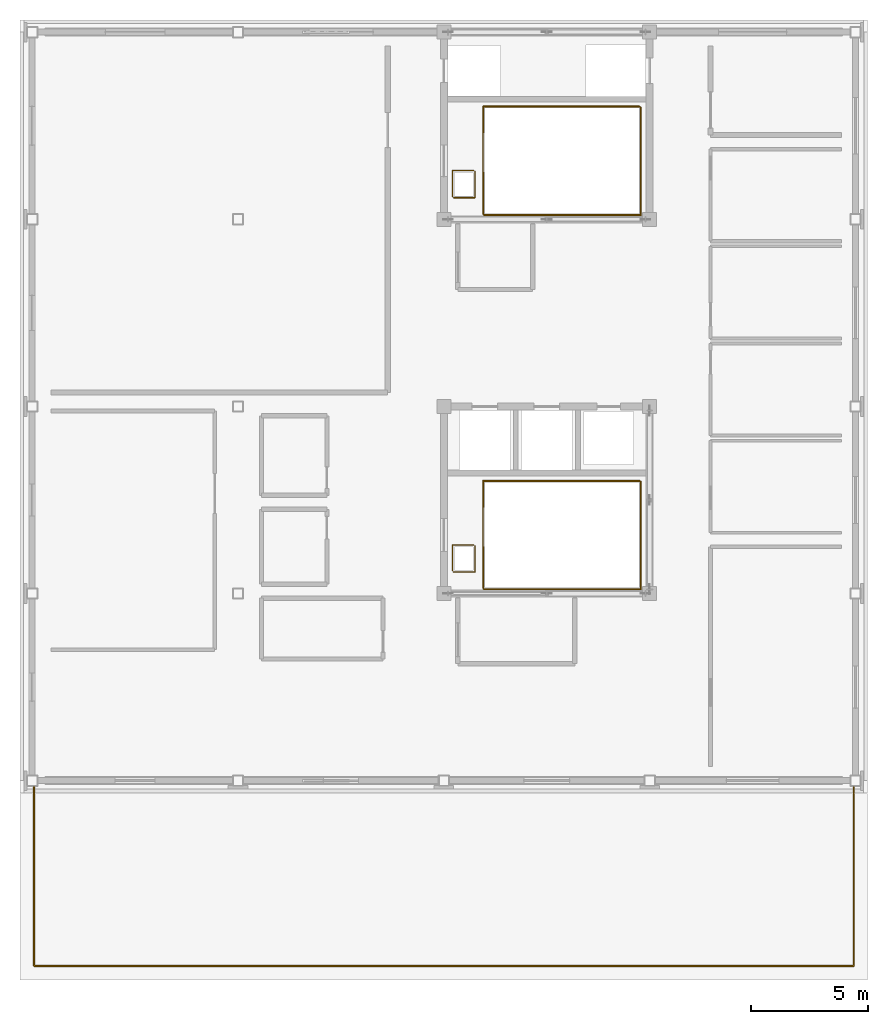
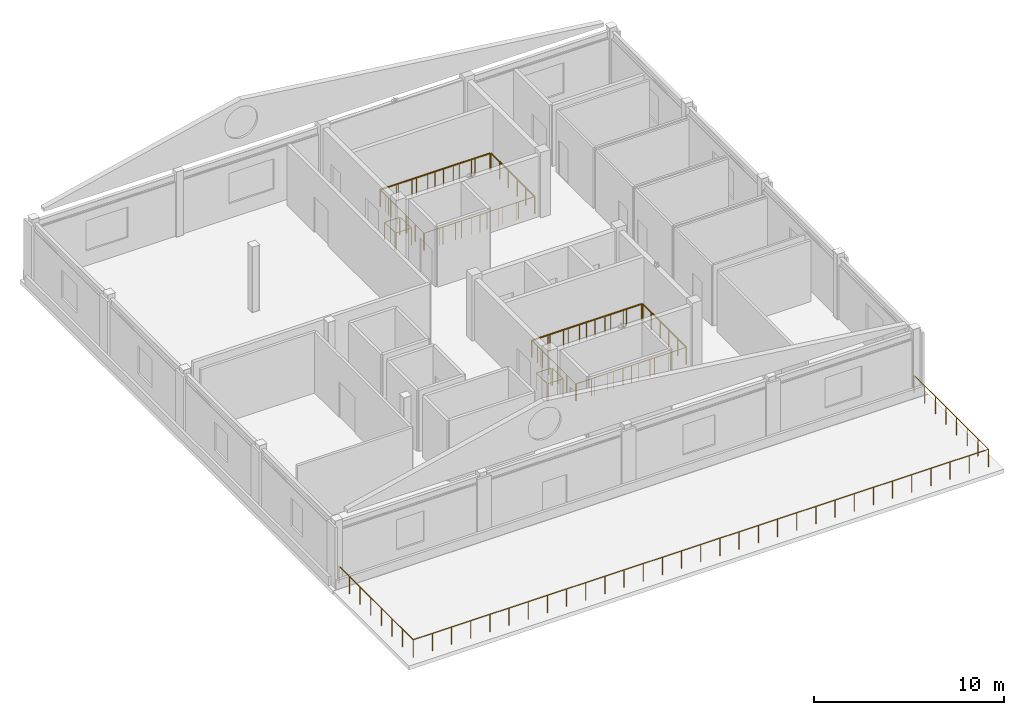
# One storey, part 10 of 10: 11 railings.
"""IFC4 building model written with IfcOpenShell, lengths in metres."""

from ifc_helpers import new_model, si_unit, direction, frame, origin, origin_2d, place, context, subcontext, project, spatial, circle, extrude, material, type_object, element, save


model = new_model("IFC4")

# Units and contexts
model_context = context("Model", 3, precision=1e-05, world=origin(), true_north=direction((0.0, 1.0)))
body_context = subcontext(model_context, "Body", "Model", "MODEL_VIEW")
ifc_project = project(units=[si_unit("LENGTHUNIT", "METRE"), si_unit("AREAUNIT", "SQUARE_METRE"), si_unit("VOLUMEUNIT", "CUBIC_METRE"), si_unit("PLANEANGLEUNIT", "RADIAN"), si_unit("MASSUNIT", "GRAM", prefix="KILO")], contexts=[model_context])

# Site, building, storey
site_placement = place(None, origin())
site = spatial("IfcSite", under=ifc_project, at=site_placement, CompositionType="ELEMENT")
building_placement = place(site_placement, origin())
building = spatial("IfcBuilding", under=site, at=building_placement, Name="Zhaolan Boulevard Law Courts", CompositionType="ELEMENT")
storey_placement = place(building_placement, frame((0.0, 0.0, 41.39990234375)))
storey = spatial("IfcBuildingStorey", under=building, at=storey_placement, Name="L09", CompositionType="ELEMENT", Elevation=41.39990234375)

# Railings
ifc_material_1 = material(Name="Powder-coated steel and tempered laminated glass", Category="steel")
railing_type_1 = type_object("IfcRailingType", Name="INTERIOR GUARDRAIL 1150", PredefinedType="GUARDRAIL", material=ifc_material_1)
railing_1_placement = place(storey_placement, frame((19.31005859375, 46.169921875, 0.0)))
element("IfcRailing", 1, at=railing_1_placement, inside=storey, type_object=railing_type_1, Name="Atrium Gallery Guardrail VG-9-V5-6A", PredefinedType="GUARDRAIL", context=body_context, shape_type="SweptSolid", body=[
    extrude(circle(Radius=0.02490234375, at=origin_2d()), frame((0.0, 0.0, 1.125), z_axis=(1.0, 0.0, 0.0), x_axis=(0.0, 1.0, 0.0)), (0.0, 0.0, 1.0), 6.719970703125),
    extrude(circle(Radius=0.02490234375, at=origin_2d()), frame((6.719970703125, 0.0, 1.125), z_axis=(0.0, 1.0, 0.0), x_axis=(-1.0, 0.0, 0.0)), (0.0, 0.0, 1.0), 4.6201171875),
    extrude(circle(Radius=0.02099609375, at=origin_2d()), origin(), (0.0, 0.0, 1.0), 1.099853515625),
    extrude(circle(Radius=0.02099609375, at=origin_2d()), frame((1.1201171875, 0.0, 0.0)), (0.0, 0.0, 1.0), 1.099853515625),
    extrude(circle(Radius=0.02099609375, at=origin_2d()), frame((2.239990234375, 0.0, 0.0)), (0.0, 0.0, 1.0), 1.099853515625),
    extrude(circle(Radius=0.02099609375, at=origin_2d()), frame((3.35986328125, 0.0, 0.0)), (0.0, 0.0, 1.0), 1.099853515625),
    extrude(circle(Radius=0.02099609375, at=origin_2d()), frame((4.47998046875, 0.0, 0.0)), (0.0, 0.0, 1.0), 1.099853515625),
    extrude(circle(Radius=0.02099609375, at=origin_2d()), frame((5.60009765625, 0.0, 0.0)), (0.0, 0.0, 1.0), 1.099853515625),
    extrude(circle(Radius=0.02099609375, at=origin_2d()), frame((6.719970703125, 0.0, 0.0)), (0.0, 0.0, 1.0), 1.099853515625),
    extrude(circle(Radius=0.02099609375, at=origin_2d()), frame((6.719970703125, 0.924072265625, 0.0)), (0.0, 0.0, 1.0), 1.099853515625),
    extrude(circle(Radius=0.02099609375, at=origin_2d()), frame((6.719970703125, 1.84814453125, 0.0)), (0.0, 0.0, 1.0), 1.099853515625),
    extrude(circle(Radius=0.02099609375, at=origin_2d()), frame((6.719970703125, 2.77197265625, 0.0)), (0.0, 0.0, 1.0), 1.099853515625),
    extrude(circle(Radius=0.02099609375, at=origin_2d()), frame((6.719970703125, 3.696044921875, 0.0)), (0.0, 0.0, 1.0), 1.099853515625),
    extrude(circle(Radius=0.02099609375, at=origin_2d()), frame((6.719970703125, 4.6201171875, 0.0)), (0.0, 0.0, 1.0), 1.099853515625),
])
railing_2_placement = place(storey_placement, frame((25.969970703125, 50.830078125, 0.0)))
element("IfcRailing", 2, at=railing_2_placement, inside=storey, type_object=railing_type_1, Name="Atrium Gallery Guardrail VG-9-V5-6B", PredefinedType="GUARDRAIL", context=body_context, shape_type="SweptSolid", body=[
    extrude(circle(Radius=0.02490234375, at=origin_2d()), frame((0.0, 0.0, 1.125), z_axis=(-1.0, 0.0, 0.0), x_axis=(0.0, -1.0, 0.0)), (0.0, 0.0, 1.0), 6.699951171875),
    extrude(circle(Radius=0.02490234375, at=origin_2d()), frame((-6.699951171875, 0.0, 1.125), z_axis=(0.0, -1.0, 0.0), x_axis=(1.0, 0.0, 0.0)), (0.0, 0.0, 1.0), 4.60009765625),
    extrude(circle(Radius=0.02099609375, at=origin_2d()), origin(), (0.0, 0.0, 1.0), 1.099853515625),
    extrude(circle(Radius=0.02099609375, at=origin_2d()), frame((-1.11669921875, 0.0, 0.0)), (0.0, 0.0, 1.0), 1.099853515625),
    extrude(circle(Radius=0.02099609375, at=origin_2d()), frame((-2.2333984375, 0.0, 0.0)), (0.0, 0.0, 1.0), 1.099853515625),
    extrude(circle(Radius=0.02099609375, at=origin_2d()), frame((-3.35009765625, 0.0, 0.0)), (0.0, 0.0, 1.0), 1.099853515625),
    extrude(circle(Radius=0.02099609375, at=origin_2d()), frame((-4.466552734375, 0.0, 0.0)), (0.0, 0.0, 1.0), 1.099853515625),
    extrude(circle(Radius=0.02099609375, at=origin_2d()), frame((-5.583251953125, 0.0, 0.0)), (0.0, 0.0, 1.0), 1.099853515625),
    extrude(circle(Radius=0.02099609375, at=origin_2d()), frame((-6.699951171875, 0.0, 0.0)), (0.0, 0.0, 1.0), 1.099853515625),
    extrude(circle(Radius=0.02099609375, at=origin_2d()), frame((-6.699951171875, -0.919921875, 0.0)), (0.0, 0.0, 1.0), 1.099853515625),
    extrude(circle(Radius=0.02099609375, at=origin_2d()), frame((-6.699951171875, -1.840087890625, 0.0)), (0.0, 0.0, 1.0), 1.099853515625),
    extrude(circle(Radius=0.02099609375, at=origin_2d()), frame((-6.699951171875, -2.760009765625, 0.0)), (0.0, 0.0, 1.0), 1.099853515625),
    extrude(circle(Radius=0.02099609375, at=origin_2d()), frame((-6.699951171875, -3.68017578125, 0.0)), (0.0, 0.0, 1.0), 1.099853515625),
    extrude(circle(Radius=0.02099609375, at=origin_2d()), frame((-6.699951171875, -4.60009765625, 0.0)), (0.0, 0.0, 1.0), 1.099853515625),
])
railing_3_placement = place(storey_placement, frame((19.31005859375, 62.169921875, 0.0)))
element("IfcRailing", 3, at=railing_3_placement, inside=storey, type_object=railing_type_1, Name="Atrium Gallery Guardrail VG-9-V5-7A", PredefinedType="GUARDRAIL", context=body_context, shape_type="SweptSolid", body=[
    extrude(circle(Radius=0.02490234375, at=origin_2d()), frame((0.0, 0.0, 1.125), z_axis=(1.0, 0.0, 0.0), x_axis=(0.0, 1.0, 0.0)), (0.0, 0.0, 1.0), 6.719970703125),
    extrude(circle(Radius=0.02490234375, at=origin_2d()), frame((6.719970703125, 0.0, 1.125), z_axis=(0.0, 1.0, 0.0), x_axis=(-1.0, 0.0, 0.0)), (0.0, 0.0, 1.0), 4.6201171875),
    extrude(circle(Radius=0.02099609375, at=origin_2d()), origin(), (0.0, 0.0, 1.0), 1.099853515625),
    extrude(circle(Radius=0.02099609375, at=origin_2d()), frame((1.1201171875, 0.0, 0.0)), (0.0, 0.0, 1.0), 1.099853515625),
    extrude(circle(Radius=0.02099609375, at=origin_2d()), frame((2.239990234375, 0.0, 0.0)), (0.0, 0.0, 1.0), 1.099853515625),
    extrude(circle(Radius=0.02099609375, at=origin_2d()), frame((3.35986328125, 0.0, 0.0)), (0.0, 0.0, 1.0), 1.099853515625),
    extrude(circle(Radius=0.02099609375, at=origin_2d()), frame((4.47998046875, 0.0, 0.0)), (0.0, 0.0, 1.0), 1.099853515625),
    extrude(circle(Radius=0.02099609375, at=origin_2d()), frame((5.60009765625, 0.0, 0.0)), (0.0, 0.0, 1.0), 1.099853515625),
    extrude(circle(Radius=0.02099609375, at=origin_2d()), frame((6.719970703125, 0.0, 0.0)), (0.0, 0.0, 1.0), 1.099853515625),
    extrude(circle(Radius=0.02099609375, at=origin_2d()), frame((6.719970703125, 0.924072265625, 0.0)), (0.0, 0.0, 1.0), 1.099853515625),
    extrude(circle(Radius=0.02099609375, at=origin_2d()), frame((6.719970703125, 1.84814453125, 0.0)), (0.0, 0.0, 1.0), 1.099853515625),
    extrude(circle(Radius=0.02099609375, at=origin_2d()), frame((6.719970703125, 2.77197265625, 0.0)), (0.0, 0.0, 1.0), 1.099853515625),
    extrude(circle(Radius=0.02099609375, at=origin_2d()), frame((6.719970703125, 3.696044921875, 0.0)), (0.0, 0.0, 1.0), 1.099853515625),
    extrude(circle(Radius=0.02099609375, at=origin_2d()), frame((6.719970703125, 4.6201171875, 0.0)), (0.0, 0.0, 1.0), 1.099853515625),
])
railing_4_placement = place(storey_placement, frame((25.969970703125, 66.830078125, 0.0)))
element("IfcRailing", 4, at=railing_4_placement, inside=storey, type_object=railing_type_1, Name="Atrium Gallery Guardrail VG-9-V5-7B", PredefinedType="GUARDRAIL", context=body_context, shape_type="SweptSolid", body=[
    extrude(circle(Radius=0.02490234375, at=origin_2d()), frame((0.0, 0.0, 1.125), z_axis=(-1.0, 0.0, 0.0), x_axis=(0.0, -1.0, 0.0)), (0.0, 0.0, 1.0), 6.699951171875),
    extrude(circle(Radius=0.02490234375, at=origin_2d()), frame((-6.699951171875, 0.0, 1.125), z_axis=(0.0, -1.0, 0.0), x_axis=(1.0, 0.0, 0.0)), (0.0, 0.0, 1.0), 4.60009765625),
    extrude(circle(Radius=0.02099609375, at=origin_2d()), origin(), (0.0, 0.0, 1.0), 1.099853515625),
    extrude(circle(Radius=0.02099609375, at=origin_2d()), frame((-1.11669921875, 0.0, 0.0)), (0.0, 0.0, 1.0), 1.099853515625),
    extrude(circle(Radius=0.02099609375, at=origin_2d()), frame((-2.2333984375, 0.0, 0.0)), (0.0, 0.0, 1.0), 1.099853515625),
    extrude(circle(Radius=0.02099609375, at=origin_2d()), frame((-3.35009765625, 0.0, 0.0)), (0.0, 0.0, 1.0), 1.099853515625),
    extrude(circle(Radius=0.02099609375, at=origin_2d()), frame((-4.466552734375, 0.0, 0.0)), (0.0, 0.0, 1.0), 1.099853515625),
    extrude(circle(Radius=0.02099609375, at=origin_2d()), frame((-5.583251953125, 0.0, 0.0)), (0.0, 0.0, 1.0), 1.099853515625),
    extrude(circle(Radius=0.02099609375, at=origin_2d()), frame((-6.699951171875, 0.0, 0.0)), (0.0, 0.0, 1.0), 1.099853515625),
    extrude(circle(Radius=0.02099609375, at=origin_2d()), frame((-6.699951171875, -0.919921875, 0.0)), (0.0, 0.0, 1.0), 1.099853515625),
    extrude(circle(Radius=0.02099609375, at=origin_2d()), frame((-6.699951171875, -1.840087890625, 0.0)), (0.0, 0.0, 1.0), 1.099853515625),
    extrude(circle(Radius=0.02099609375, at=origin_2d()), frame((-6.699951171875, -2.760009765625, 0.0)), (0.0, 0.0, 1.0), 1.099853515625),
    extrude(circle(Radius=0.02099609375, at=origin_2d()), frame((-6.699951171875, -3.68017578125, 0.0)), (0.0, 0.0, 1.0), 1.099853515625),
    extrude(circle(Radius=0.02099609375, at=origin_2d()), frame((-6.699951171875, -4.60009765625, 0.0)), (0.0, 0.0, 1.0), 1.099853515625),
])
railing_5_placement = place(storey_placement, frame((18.010009765625, 46.919921875, 0.0)))
element("IfcRailing", 5, at=railing_5_placement, inside=storey, type_object=railing_type_1, Name="Atrium Gallery Guardrail VG-9-V5-8A", PredefinedType="GUARDRAIL", context=body_context, shape_type="SweptSolid", body=[
    extrude(circle(Radius=0.02490234375, at=origin_2d()), frame((0.0, 0.0, 1.125), z_axis=(1.0, 0.0, 0.0), x_axis=(0.0, 1.0, 0.0)), (0.0, 0.0, 1.0), 0.919921875),
    extrude(circle(Radius=0.02490234375, at=origin_2d()), frame((0.919921875, 0.0, 1.125), z_axis=(0.0, 1.0, 0.0), x_axis=(-1.0, 0.0, 0.0)), (0.0, 0.0, 1.0), 1.1201171875),
    extrude(circle(Radius=0.02099609375, at=origin_2d()), origin(), (0.0, 0.0, 1.0), 1.099853515625),
    extrude(circle(Radius=0.02099609375, at=origin_2d()), frame((0.919921875, 0.0, 0.0)), (0.0, 0.0, 1.0), 1.099853515625),
    extrude(circle(Radius=0.02099609375, at=origin_2d()), frame((0.919921875, 1.1201171875, 0.0)), (0.0, 0.0, 1.0), 1.099853515625),
])
railing_6_placement = place(storey_placement, frame((18.8701171875, 48.080078125, 0.0)))
element("IfcRailing", 6, at=railing_6_placement, inside=storey, type_object=railing_type_1, Name="Atrium Gallery Guardrail VG-9-V5-8B", PredefinedType="GUARDRAIL", context=body_context, shape_type="SweptSolid", body=[
    extrude(circle(Radius=0.02490234375, at=origin_2d()), frame((0.0, 0.0, 1.125), z_axis=(-1.0, 0.0, 0.0), x_axis=(0.0, -1.0, 0.0)), (0.0, 0.0, 1.0), 0.900146484375),
    extrude(circle(Radius=0.02490234375, at=origin_2d()), frame((-0.900146484375, 0.0, 1.125), z_axis=(0.0, -1.0, 0.0), x_axis=(1.0, 0.0, 0.0)), (0.0, 0.0, 1.0), 1.10009765625),
    extrude(circle(Radius=0.02099609375, at=origin_2d()), origin(), (0.0, 0.0, 1.0), 1.099853515625),
    extrude(circle(Radius=0.02099609375, at=origin_2d()), frame((-0.900146484375, 0.0, 0.0)), (0.0, 0.0, 1.0), 1.099853515625),
    extrude(circle(Radius=0.02099609375, at=origin_2d()), frame((-0.900146484375, -1.10009765625, 0.0)), (0.0, 0.0, 1.0), 1.099853515625),
])
railing_7_placement = place(storey_placement, frame((18.010009765625, 62.919921875, 0.0)))
element("IfcRailing", 7, at=railing_7_placement, inside=storey, type_object=railing_type_1, Name="Atrium Gallery Guardrail VG-9-V5-9A", PredefinedType="GUARDRAIL", context=body_context, shape_type="SweptSolid", body=[
    extrude(circle(Radius=0.02490234375, at=origin_2d()), frame((0.0, 0.0, 1.125), z_axis=(1.0, 0.0, 0.0), x_axis=(0.0, 1.0, 0.0)), (0.0, 0.0, 1.0), 0.919921875),
    extrude(circle(Radius=0.02490234375, at=origin_2d()), frame((0.919921875, 0.0, 1.125), z_axis=(0.0, 1.0, 0.0), x_axis=(-1.0, 0.0, 0.0)), (0.0, 0.0, 1.0), 1.1201171875),
    extrude(circle(Radius=0.02099609375, at=origin_2d()), origin(), (0.0, 0.0, 1.0), 1.099853515625),
    extrude(circle(Radius=0.02099609375, at=origin_2d()), frame((0.919921875, 0.0, 0.0)), (0.0, 0.0, 1.0), 1.099853515625),
    extrude(circle(Radius=0.02099609375, at=origin_2d()), frame((0.919921875, 1.1201171875, 0.0)), (0.0, 0.0, 1.0), 1.099853515625),
])
railing_8_placement = place(storey_placement, frame((18.8701171875, 64.080078125, 0.0)))
element("IfcRailing", 8, at=railing_8_placement, inside=storey, type_object=railing_type_1, Name="Atrium Gallery Guardrail VG-9-V5-9B", PredefinedType="GUARDRAIL", context=body_context, shape_type="SweptSolid", body=[
    extrude(circle(Radius=0.02490234375, at=origin_2d()), frame((0.0, 0.0, 1.125), z_axis=(-1.0, 0.0, 0.0), x_axis=(0.0, -1.0, 0.0)), (0.0, 0.0, 1.0), 0.900146484375),
    extrude(circle(Radius=0.02490234375, at=origin_2d()), frame((-0.900146484375, 0.0, 1.125), z_axis=(0.0, -1.0, 0.0), x_axis=(1.0, 0.0, 0.0)), (0.0, 0.0, 1.0), 1.10009765625),
    extrude(circle(Radius=0.02099609375, at=origin_2d()), origin(), (0.0, 0.0, 1.0), 1.099853515625),
    extrude(circle(Radius=0.02099609375, at=origin_2d()), frame((-0.900146484375, 0.0, 0.0)), (0.0, 0.0, 1.0), 1.099853515625),
    extrude(circle(Radius=0.02099609375, at=origin_2d()), frame((-0.900146484375, -1.10009765625, 0.0)), (0.0, 0.0, 1.0), 1.099853515625),
])
ifc_material_2 = material(Name="Powder-coated steel baluster guardrail", Category="steel")
railing_type_2 = type_object("IfcRailingType", Name="STAIR WELL GUARDRAIL 1120", PredefinedType="GUARDRAIL", material=ifc_material_2)
railing_9_placement = place(storey_placement, frame((19.2900390625, 48.0, 0.0)))
element("IfcRailing", 9, at=railing_9_placement, inside=storey, type_object=railing_type_2, Name="Stair-Well Floor Guardrail WG-ST01-L08", PredefinedType="GUARDRAIL", context=body_context, shape_type="SweptSolid", body=[
    extrude(circle(Radius=0.02392578125, at=origin_2d()), frame((0.0, 0.0, 1.09619140625), z_axis=(0.0, -1.0, 0.0), x_axis=(1.0, 0.0, 0.0)), (0.0, 0.0, 1.0), 1.800048828125),
    extrude(circle(Radius=0.02392578125, at=origin_2d()), frame((0.0, -1.800048828125, 1.09619140625), z_axis=(1.0, 0.0, 0.0), x_axis=(0.0, 1.0, 0.0)), (0.0, 0.0, 1.0), 6.7099609375),
    extrude(circle(Radius=0.02392578125, at=origin_2d()), frame((6.7099609375, -1.800048828125, 1.09619140625), z_axis=(0.0, 1.0, 0.0), x_axis=(-1.0, 0.0, 0.0)), (0.0, 0.0, 1.0), 4.60009765625),
    extrude(circle(Radius=0.02392578125, at=origin_2d()), frame((6.7099609375, 2.800048828125, 1.09619140625), z_axis=(-1.0, 0.0, 0.0), x_axis=(0.0, -1.0, 0.0)), (0.0, 0.0, 1.0), 6.7099609375),
    extrude(circle(Radius=0.02392578125, at=origin_2d()), frame((0.0, 2.800048828125, 1.09619140625), z_axis=(0.0, -1.0, 0.0), x_axis=(1.0, 0.0, 0.0)), (0.0, 0.0, 1.0), 1.10009765625),
    extrude(circle(Radius=0.02099609375, at=origin_2d()), origin(), (0.0, 0.0, 1.0), 1.072021484375),
    extrude(circle(Radius=0.02099609375, at=origin_2d()), frame((0.0, -0.89990234375, 0.0)), (0.0, 0.0, 1.0), 1.072021484375),
    extrude(circle(Radius=0.02099609375, at=origin_2d()), frame((0.0, -1.800048828125, 0.0)), (0.0, 0.0, 1.0), 1.072021484375),
    extrude(circle(Radius=0.02099609375, at=origin_2d()), frame((0.95849609375, -1.800048828125, 0.0)), (0.0, 0.0, 1.0), 1.072021484375),
    extrude(circle(Radius=0.02099609375, at=origin_2d()), frame((1.917236328125, -1.800048828125, 0.0)), (0.0, 0.0, 1.0), 1.072021484375),
    extrude(circle(Radius=0.02099609375, at=origin_2d()), frame((2.875732421875, -1.800048828125, 0.0)), (0.0, 0.0, 1.0), 1.072021484375),
    extrude(circle(Radius=0.02099609375, at=origin_2d()), frame((3.834228515625, -1.800048828125, 0.0)), (0.0, 0.0, 1.0), 1.072021484375),
    extrude(circle(Radius=0.02099609375, at=origin_2d()), frame((4.792724609375, -1.800048828125, 0.0)), (0.0, 0.0, 1.0), 1.072021484375),
    extrude(circle(Radius=0.02099609375, at=origin_2d()), frame((5.75146484375, -1.800048828125, 0.0)), (0.0, 0.0, 1.0), 1.072021484375),
    extrude(circle(Radius=0.02099609375, at=origin_2d()), frame((6.7099609375, -1.800048828125, 0.0)), (0.0, 0.0, 1.0), 1.072021484375),
    extrude(circle(Radius=0.02099609375, at=origin_2d()), frame((6.7099609375, -0.880126953125, 0.0)), (0.0, 0.0, 1.0), 1.072021484375),
    extrude(circle(Radius=0.02099609375, at=origin_2d()), frame((6.7099609375, 0.0400390625, 0.0)), (0.0, 0.0, 1.0), 1.072021484375),
    extrude(circle(Radius=0.02099609375, at=origin_2d()), frame((6.7099609375, 0.9599609375, 0.0)), (0.0, 0.0, 1.0), 1.072021484375),
    extrude(circle(Radius=0.02099609375, at=origin_2d()), frame((6.7099609375, 1.880126953125, 0.0)), (0.0, 0.0, 1.0), 1.072021484375),
    extrude(circle(Radius=0.02099609375, at=origin_2d()), frame((6.7099609375, 2.800048828125, 0.0)), (0.0, 0.0, 1.0), 1.072021484375),
    extrude(circle(Radius=0.02099609375, at=origin_2d()), frame((5.75146484375, 2.800048828125, 0.0)), (0.0, 0.0, 1.0), 1.072021484375),
    extrude(circle(Radius=0.02099609375, at=origin_2d()), frame((4.792724609375, 2.800048828125, 0.0)), (0.0, 0.0, 1.0), 1.072021484375),
    extrude(circle(Radius=0.02099609375, at=origin_2d()), frame((3.834228515625, 2.800048828125, 0.0)), (0.0, 0.0, 1.0), 1.072021484375),
    extrude(circle(Radius=0.02099609375, at=origin_2d()), frame((2.875732421875, 2.800048828125, 0.0)), (0.0, 0.0, 1.0), 1.072021484375),
    extrude(circle(Radius=0.02099609375, at=origin_2d()), frame((1.917236328125, 2.800048828125, 0.0)), (0.0, 0.0, 1.0), 1.072021484375),
    extrude(circle(Radius=0.02099609375, at=origin_2d()), frame((0.95849609375, 2.800048828125, 0.0)), (0.0, 0.0, 1.0), 1.072021484375),
    extrude(circle(Radius=0.02099609375, at=origin_2d()), frame((0.0, 2.800048828125, 0.0)), (0.0, 0.0, 1.0), 1.072021484375),
    extrude(circle(Radius=0.02099609375, at=origin_2d()), frame((0.0, 2.25, 0.0)), (0.0, 0.0, 1.0), 1.072021484375),
    extrude(circle(Radius=0.02099609375, at=origin_2d()), frame((0.0, 1.699951171875, 0.0)), (0.0, 0.0, 1.0), 1.072021484375),
])
railing_10_placement = place(storey_placement, frame((19.2900390625, 64.0, 0.0)))
element("IfcRailing", 10, at=railing_10_placement, inside=storey, type_object=railing_type_2, Name="Stair-Well Floor Guardrail WG-ST02-L08", PredefinedType="GUARDRAIL", context=body_context, shape_type="SweptSolid", body=[
    extrude(circle(Radius=0.02392578125, at=origin_2d()), frame((0.0, 0.0, 1.09619140625), z_axis=(0.0, -1.0, 0.0), x_axis=(1.0, 0.0, 0.0)), (0.0, 0.0, 1.0), 1.800048828125),
    extrude(circle(Radius=0.02392578125, at=origin_2d()), frame((0.0, -1.800048828125, 1.09619140625), z_axis=(1.0, 0.0, 0.0), x_axis=(0.0, 1.0, 0.0)), (0.0, 0.0, 1.0), 6.7099609375),
    extrude(circle(Radius=0.02392578125, at=origin_2d()), frame((6.7099609375, -1.800048828125, 1.09619140625), z_axis=(0.0, 1.0, 0.0), x_axis=(-1.0, 0.0, 0.0)), (0.0, 0.0, 1.0), 4.60009765625),
    extrude(circle(Radius=0.02392578125, at=origin_2d()), frame((6.7099609375, 2.800048828125, 1.09619140625), z_axis=(-1.0, 0.0, 0.0), x_axis=(0.0, -1.0, 0.0)), (0.0, 0.0, 1.0), 6.7099609375),
    extrude(circle(Radius=0.02392578125, at=origin_2d()), frame((0.0, 2.800048828125, 1.09619140625), z_axis=(0.0, -1.0, 0.0), x_axis=(1.0, 0.0, 0.0)), (0.0, 0.0, 1.0), 1.10009765625),
    extrude(circle(Radius=0.02099609375, at=origin_2d()), origin(), (0.0, 0.0, 1.0), 1.072021484375),
    extrude(circle(Radius=0.02099609375, at=origin_2d()), frame((0.0, -0.89990234375, 0.0)), (0.0, 0.0, 1.0), 1.072021484375),
    extrude(circle(Radius=0.02099609375, at=origin_2d()), frame((0.0, -1.800048828125, 0.0)), (0.0, 0.0, 1.0), 1.072021484375),
    extrude(circle(Radius=0.02099609375, at=origin_2d()), frame((0.95849609375, -1.800048828125, 0.0)), (0.0, 0.0, 1.0), 1.072021484375),
    extrude(circle(Radius=0.02099609375, at=origin_2d()), frame((1.917236328125, -1.800048828125, 0.0)), (0.0, 0.0, 1.0), 1.072021484375),
    extrude(circle(Radius=0.02099609375, at=origin_2d()), frame((2.875732421875, -1.800048828125, 0.0)), (0.0, 0.0, 1.0), 1.072021484375),
    extrude(circle(Radius=0.02099609375, at=origin_2d()), frame((3.834228515625, -1.800048828125, 0.0)), (0.0, 0.0, 1.0), 1.072021484375),
    extrude(circle(Radius=0.02099609375, at=origin_2d()), frame((4.792724609375, -1.800048828125, 0.0)), (0.0, 0.0, 1.0), 1.072021484375),
    extrude(circle(Radius=0.02099609375, at=origin_2d()), frame((5.75146484375, -1.800048828125, 0.0)), (0.0, 0.0, 1.0), 1.072021484375),
    extrude(circle(Radius=0.02099609375, at=origin_2d()), frame((6.7099609375, -1.800048828125, 0.0)), (0.0, 0.0, 1.0), 1.072021484375),
    extrude(circle(Radius=0.02099609375, at=origin_2d()), frame((6.7099609375, -0.880126953125, 0.0)), (0.0, 0.0, 1.0), 1.072021484375),
    extrude(circle(Radius=0.02099609375, at=origin_2d()), frame((6.7099609375, 0.0400390625, 0.0)), (0.0, 0.0, 1.0), 1.072021484375),
    extrude(circle(Radius=0.02099609375, at=origin_2d()), frame((6.7099609375, 0.9599609375, 0.0)), (0.0, 0.0, 1.0), 1.072021484375),
    extrude(circle(Radius=0.02099609375, at=origin_2d()), frame((6.7099609375, 1.880126953125, 0.0)), (0.0, 0.0, 1.0), 1.072021484375),
    extrude(circle(Radius=0.02099609375, at=origin_2d()), frame((6.7099609375, 2.800048828125, 0.0)), (0.0, 0.0, 1.0), 1.072021484375),
    extrude(circle(Radius=0.02099609375, at=origin_2d()), frame((5.75146484375, 2.800048828125, 0.0)), (0.0, 0.0, 1.0), 1.072021484375),
    extrude(circle(Radius=0.02099609375, at=origin_2d()), frame((4.792724609375, 2.800048828125, 0.0)), (0.0, 0.0, 1.0), 1.072021484375),
    extrude(circle(Radius=0.02099609375, at=origin_2d()), frame((3.834228515625, 2.800048828125, 0.0)), (0.0, 0.0, 1.0), 1.072021484375),
    extrude(circle(Radius=0.02099609375, at=origin_2d()), frame((2.875732421875, 2.800048828125, 0.0)), (0.0, 0.0, 1.0), 1.072021484375),
    extrude(circle(Radius=0.02099609375, at=origin_2d()), frame((1.917236328125, 2.800048828125, 0.0)), (0.0, 0.0, 1.0), 1.072021484375),
    extrude(circle(Radius=0.02099609375, at=origin_2d()), frame((0.95849609375, 2.800048828125, 0.0)), (0.0, 0.0, 1.0), 1.072021484375),
    extrude(circle(Radius=0.02099609375, at=origin_2d()), frame((0.0, 2.800048828125, 0.0)), (0.0, 0.0, 1.0), 1.072021484375),
    extrude(circle(Radius=0.02099609375, at=origin_2d()), frame((0.0, 2.25, 0.0)), (0.0, 0.0, 1.0), 1.072021484375),
    extrude(circle(Radius=0.02099609375, at=origin_2d()), frame((0.0, 1.699951171875, 0.0)), (0.0, 0.0, 1.0), 1.072021484375),
])
ifc_material_3 = material(Name="Stainless steel 316L and laminated glass", Category="steel")
railing_type_3 = type_object("IfcRailingType", Name="TERRACE GUARDRAIL 1150", PredefinedType="GUARDRAIL", material=ifc_material_3)
railing_11_placement = place(storey_placement, frame((0.080078125, 37.919921875, 0.0)))
element("IfcRailing", 11, at=railing_11_placement, inside=storey, type_object=railing_type_3, Name="Terrace Guardrail GR-TER-L09", PredefinedType="GUARDRAIL", context=body_context, shape_type="SweptSolid", body=[
    extrude(circle(Radius=0.02490234375, at=origin_2d()), frame((0.0, 0.0, 1.125), z_axis=(0.0, -1.0, 0.0), x_axis=(1.0, 0.0, 0.0)), (0.0, 0.0, 1.0), 7.83984375),
    extrude(circle(Radius=0.02490234375, at=origin_2d()), frame((0.0, -7.83984375, 1.125), z_axis=(1.0, 0.0, 0.0), x_axis=(0.0, 1.0, 0.0)), (0.0, 0.0, 1.0), 35.0400390625),
    extrude(circle(Radius=0.02490234375, at=origin_2d()), frame((35.0400390625, -7.83984375, 1.125), z_axis=(0.0, 1.0, 0.0), x_axis=(-1.0, 0.0, 0.0)), (0.0, 0.0, 1.0), 7.83984375),
    extrude(circle(Radius=0.0224609375, at=origin_2d()), origin(), (0.0, 0.0, 1.0), 1.099853515625),
    extrude(circle(Radius=0.0224609375, at=origin_2d()), frame((0.0, -1.119873046875, 0.0)), (0.0, 0.0, 1.0), 1.099853515625),
    extrude(circle(Radius=0.0224609375, at=origin_2d()), frame((0.0, -2.239990234375, 0.0)), (0.0, 0.0, 1.0), 1.099853515625),
    extrude(circle(Radius=0.0224609375, at=origin_2d()), frame((0.0, -3.35986328125, 0.0)), (0.0, 0.0, 1.0), 1.099853515625),
    extrude(circle(Radius=0.0224609375, at=origin_2d()), frame((0.0, -4.47998046875, 0.0)), (0.0, 0.0, 1.0), 1.099853515625),
    extrude(circle(Radius=0.0224609375, at=origin_2d()), frame((0.0, -5.599853515625, 0.0)), (0.0, 0.0, 1.0), 1.099853515625),
    extrude(circle(Radius=0.0224609375, at=origin_2d()), frame((0.0, -6.719970703125, 0.0)), (0.0, 0.0, 1.0), 1.099853515625),
    extrude(circle(Radius=0.0224609375, at=origin_2d()), frame((0.0, -7.83984375, 0.0)), (0.0, 0.0, 1.0), 1.099853515625),
    extrude(circle(Radius=0.0224609375, at=origin_2d()), frame((1.16796875, -7.83984375, 0.0)), (0.0, 0.0, 1.0), 1.099853515625),
    extrude(circle(Radius=0.0224609375, at=origin_2d()), frame((2.3359375, -7.83984375, 0.0)), (0.0, 0.0, 1.0), 1.099853515625),
    extrude(circle(Radius=0.0224609375, at=origin_2d()), frame((3.50390625, -7.83984375, 0.0)), (0.0, 0.0, 1.0), 1.099853515625),
    extrude(circle(Radius=0.0224609375, at=origin_2d()), frame((4.672119140625, -7.83984375, 0.0)), (0.0, 0.0, 1.0), 1.099853515625),
    extrude(circle(Radius=0.0224609375, at=origin_2d()), frame((5.840087890625, -7.83984375, 0.0)), (0.0, 0.0, 1.0), 1.099853515625),
    extrude(circle(Radius=0.0224609375, at=origin_2d()), frame((7.008056640625, -7.83984375, 0.0)), (0.0, 0.0, 1.0), 1.099853515625),
    extrude(circle(Radius=0.0224609375, at=origin_2d()), frame((8.176025390625, -7.83984375, 0.0)), (0.0, 0.0, 1.0), 1.099853515625),
    extrude(circle(Radius=0.0224609375, at=origin_2d()), frame((9.343994140625, -7.83984375, 0.0)), (0.0, 0.0, 1.0), 1.099853515625),
    extrude(circle(Radius=0.0224609375, at=origin_2d()), frame((10.511962890625, -7.83984375, 0.0)), (0.0, 0.0, 1.0), 1.099853515625),
    extrude(circle(Radius=0.0224609375, at=origin_2d()), frame((11.679931640625, -7.83984375, 0.0)), (0.0, 0.0, 1.0), 1.099853515625),
    extrude(circle(Radius=0.0224609375, at=origin_2d()), frame((12.847900390625, -7.83984375, 0.0)), (0.0, 0.0, 1.0), 1.099853515625),
    extrude(circle(Radius=0.0224609375, at=origin_2d()), frame((14.01611328125, -7.83984375, 0.0)), (0.0, 0.0, 1.0), 1.099853515625),
    extrude(circle(Radius=0.0224609375, at=origin_2d()), frame((15.18408203125, -7.83984375, 0.0)), (0.0, 0.0, 1.0), 1.099853515625),
    extrude(circle(Radius=0.0224609375, at=origin_2d()), frame((16.35205078125, -7.83984375, 0.0)), (0.0, 0.0, 1.0), 1.099853515625),
    extrude(circle(Radius=0.0224609375, at=origin_2d()), frame((17.52001953125, -7.83984375, 0.0)), (0.0, 0.0, 1.0), 1.099853515625),
    extrude(circle(Radius=0.0224609375, at=origin_2d()), frame((18.68798828125, -7.83984375, 0.0)), (0.0, 0.0, 1.0), 1.099853515625),
    extrude(circle(Radius=0.0224609375, at=origin_2d()), frame((19.85595703125, -7.83984375, 0.0)), (0.0, 0.0, 1.0), 1.099853515625),
    extrude(circle(Radius=0.0224609375, at=origin_2d()), frame((21.02392578125, -7.83984375, 0.0)), (0.0, 0.0, 1.0), 1.099853515625),
    extrude(circle(Radius=0.0224609375, at=origin_2d()), frame((22.192138671875, -7.83984375, 0.0)), (0.0, 0.0, 1.0), 1.099853515625),
    extrude(circle(Radius=0.0224609375, at=origin_2d()), frame((23.360107421875, -7.83984375, 0.0)), (0.0, 0.0, 1.0), 1.099853515625),
    extrude(circle(Radius=0.0224609375, at=origin_2d()), frame((24.528076171875, -7.83984375, 0.0)), (0.0, 0.0, 1.0), 1.099853515625),
    extrude(circle(Radius=0.0224609375, at=origin_2d()), frame((25.696044921875, -7.83984375, 0.0)), (0.0, 0.0, 1.0), 1.099853515625),
    extrude(circle(Radius=0.0224609375, at=origin_2d()), frame((26.864013671875, -7.83984375, 0.0)), (0.0, 0.0, 1.0), 1.099853515625),
    extrude(circle(Radius=0.0224609375, at=origin_2d()), frame((28.031982421875, -7.83984375, 0.0)), (0.0, 0.0, 1.0), 1.099853515625),
    extrude(circle(Radius=0.0224609375, at=origin_2d()), frame((29.199951171875, -7.83984375, 0.0)), (0.0, 0.0, 1.0), 1.099853515625),
    extrude(circle(Radius=0.0224609375, at=origin_2d()), frame((30.367919921875, -7.83984375, 0.0)), (0.0, 0.0, 1.0), 1.099853515625),
    extrude(circle(Radius=0.0224609375, at=origin_2d()), frame((31.5361328125, -7.83984375, 0.0)), (0.0, 0.0, 1.0), 1.099853515625),
    extrude(circle(Radius=0.0224609375, at=origin_2d()), frame((32.7041015625, -7.83984375, 0.0)), (0.0, 0.0, 1.0), 1.099853515625),
    extrude(circle(Radius=0.0224609375, at=origin_2d()), frame((33.8720703125, -7.83984375, 0.0)), (0.0, 0.0, 1.0), 1.099853515625),
    extrude(circle(Radius=0.0224609375, at=origin_2d()), frame((35.0400390625, -7.83984375, 0.0)), (0.0, 0.0, 1.0), 1.099853515625),
    extrude(circle(Radius=0.0224609375, at=origin_2d()), frame((35.0400390625, -6.719970703125, 0.0)), (0.0, 0.0, 1.0), 1.099853515625),
    extrude(circle(Radius=0.0224609375, at=origin_2d()), frame((35.0400390625, -5.599853515625, 0.0)), (0.0, 0.0, 1.0), 1.099853515625),
    extrude(circle(Radius=0.0224609375, at=origin_2d()), frame((35.0400390625, -4.47998046875, 0.0)), (0.0, 0.0, 1.0), 1.099853515625),
    extrude(circle(Radius=0.0224609375, at=origin_2d()), frame((35.0400390625, -3.35986328125, 0.0)), (0.0, 0.0, 1.0), 1.099853515625),
    extrude(circle(Radius=0.0224609375, at=origin_2d()), frame((35.0400390625, -2.239990234375, 0.0)), (0.0, 0.0, 1.0), 1.099853515625),
    extrude(circle(Radius=0.0224609375, at=origin_2d()), frame((35.0400390625, -1.119873046875, 0.0)), (0.0, 0.0, 1.0), 1.099853515625),
    extrude(circle(Radius=0.0224609375, at=origin_2d()), frame((35.0400390625, 0.0, 0.0)), (0.0, 0.0, 1.0), 1.099853515625),
])

save(model, "model.ifc")
